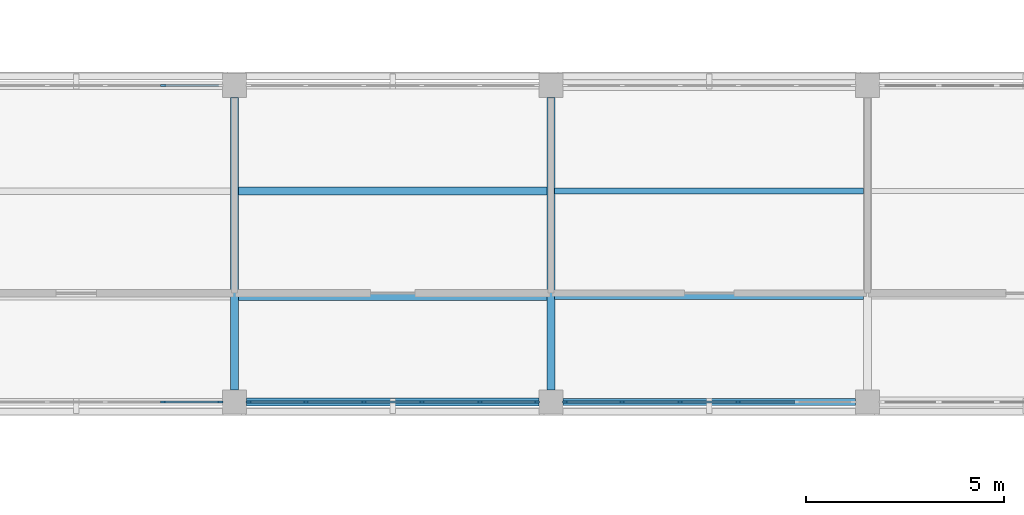
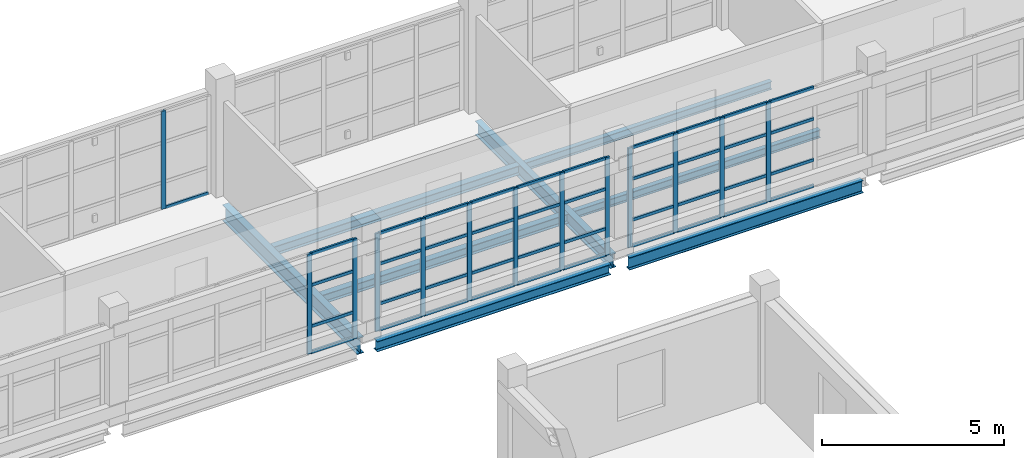
# One storey, part 19 of 126: 54 members, 8 beams, 4 elements without a shape of their own.
"""IFC4 building model written with IfcOpenShell, lengths in metres."""

from ifc_helpers import new_model, si_unit, derived_unit, direction, frame, origin, origin_2d, place, context, subcontext, project, spatial, rectangle, i_section, extrude, material, layer, layer_set, material_profile, profile_set, type_object, element, aggregate, save


model = new_model("IFC4")

# Units and contexts
model_context = context("Model", 3, precision=1e-05, world=origin(), true_north=direction((0.0, 1.0)))
body_context = subcontext(model_context, "Body", "Model", "MODEL_VIEW")
ifc_project = project(units=[si_unit("LENGTHUNIT", "METRE"), si_unit("AREAUNIT", "SQUARE_METRE"), si_unit("VOLUMEUNIT", "CUBIC_METRE"), si_unit("PLANEANGLEUNIT", "RADIAN"), si_unit("MASSUNIT", "GRAM", prefix="KILO"), derived_unit("THERMALTRANSMITTANCEUNIT", [(si_unit("MASSUNIT", "GRAM", prefix="KILO"), 1), (si_unit("TIMEUNIT", "SECOND"), -3), (si_unit("THERMODYNAMICTEMPERATUREUNIT", "KELVIN"), -1)])], contexts=[model_context])

# Site, building, storey
site_placement = place(None, origin())
site = spatial("IfcSite", under=ifc_project, at=site_placement, CompositionType="ELEMENT")
building_placement = place(site_placement, origin())
building = spatial("IfcBuilding", under=site, at=building_placement, Name="Veyamyaing Civic Hall", CompositionType="ELEMENT")
storey_placement = place(building_placement, frame((0.0, 0.0, 9.89990234375)))
storey = spatial("IfcBuildingStorey", under=building, at=storey_placement, Name="L02", CompositionType="ELEMENT", Elevation=9.89990234375)

# Beams
ifc_material_1 = material(Name="Steel ASTM A992", Category="steel")
ifc_material_profile_1 = material_profile(ifc_material_1, i_section(OverallWidth=0.2041015625, OverallDepth=0.35009765625, WebThickness=0.0078125, FlangeThickness=0.01513671875, FilletRadius=0.010009765625, at=origin_2d()), Name="W360X72")
ifc_profile_set_1 = profile_set([ifc_material_profile_1], Name="Steel ASTM A992")
beam_type_1 = type_object("IfcBeamType", Name="B-11", PredefinedType="SPANDREL", material=ifc_profile_set_1)
beam_1_placement = place(storey_placement, frame((32.300048828125, 48.0, -0.4599609375), z_axis=(1.0, 0.0, 0.0), x_axis=(0.0, 1.0, 0.0)))
element("IfcBeam", 1, at=beam_1_placement, inside=storey, type_object=beam_type_1, Name="Girder B-11 L02 Grid G 5-6", PredefinedType="SPANDREL", context=body_context, shape_type="SweptSolid", body=[
    extrude(i_section(OverallWidth=0.2041015625, OverallDepth=0.35009765625, WebThickness=0.0078125, FlangeThickness=0.01513671875, FilletRadius=0.010009765625, at=origin_2d()), origin(), (0.0, 0.0, 1.0), 7.39990234375),
])
ifc_material_profile_2 = material_profile(ifc_material_1, i_section(OverallWidth=0.2109375, OverallDepth=0.5390625, WebThickness=0.01171875, FlangeThickness=0.018798828125, FilletRadius=0.011962890625, at=origin_2d()), Name="W530X109")
ifc_profile_set_2 = profile_set([ifc_material_profile_2], Name="Steel ASTM A992")
beam_type_2 = type_object("IfcBeamType", Name="B-17", PredefinedType="BEAM", material=ifc_profile_set_2)
beam_2_placement = place(storey_placement, frame((32.0, 48.300048828125, -0.554443359375), z_axis=(0.0, 1.0, 0.0), x_axis=(-1.0, 0.0, 0.0)))
element("IfcBeam", 2, at=beam_2_placement, inside=storey, type_object=beam_type_2, Name="Girder B-17 L02 Grid 5 G-H", PredefinedType="BEAM", context=body_context, shape_type="SweptSolid", body=[
    extrude(i_section(OverallWidth=0.2109375, OverallDepth=0.5390625, WebThickness=0.01171875, FlangeThickness=0.018798828125, FilletRadius=0.011962890625, at=origin_2d()), origin(), (0.0, 0.0, 1.0), 7.39990234375),
])
ifc_material_profile_3 = material_profile(ifc_material_1, i_section(OverallWidth=0.194091796875, OverallDepth=0.468994140625, WebThickness=0.0126953125, FlangeThickness=0.0205078125, FilletRadius=0.010009765625, at=origin_2d()), Name="W460X106")
ifc_profile_set_3 = profile_set([ifc_material_profile_3], Name="Steel ASTM A992")
beam_type_3 = type_object("IfcBeamType", Name="B-18", PredefinedType="BEAM", material=ifc_profile_set_3)
beam_3_placement = place(storey_placement, frame((40.0, 48.300048828125, -0.519287109375), z_axis=(0.0, 1.0, 0.0), x_axis=(-1.0, 0.0, 0.0)))
element("IfcBeam", 3, at=beam_3_placement, inside=storey, type_object=beam_type_3, Name="Girder B-18 L02 Grid 6 G-H", PredefinedType="BEAM", context=body_context, shape_type="SweptSolid", body=[
    extrude(i_section(OverallWidth=0.194091796875, OverallDepth=0.468994140625, WebThickness=0.0126953125, FlangeThickness=0.0205078125, FilletRadius=0.010009765625, at=origin_2d()), origin(), (0.0, 0.0, 1.0), 7.39990234375),
])
ifc_material_profile_4 = material_profile(ifc_material_1, i_section(OverallWidth=0.180908203125, OverallDepth=0.4169921875, WebThickness=0.010986328125, FlangeThickness=0.018310546875, FilletRadius=0.010009765625, at=origin_2d()), Name="W410X85")
ifc_profile_set_4 = profile_set([ifc_material_profile_4], Name="Steel ASTM A992")
beam_type_4 = type_object("IfcBeamType", Name="B-19", PredefinedType="SPANDREL", material=ifc_profile_set_4)
beam_4_placement = place(storey_placement, frame((40.300048828125, 48.0, -0.493408203125), z_axis=(1.0, 0.0, 0.0), x_axis=(0.0, 1.0, 0.0)))
element("IfcBeam", 4, at=beam_4_placement, inside=storey, type_object=beam_type_4, Name="Girder B-19 L02 Grid G 6-7", PredefinedType="SPANDREL", context=body_context, shape_type="SweptSolid", body=[
    extrude(i_section(OverallWidth=0.180908203125, OverallDepth=0.4169921875, WebThickness=0.010986328125, FlangeThickness=0.018310546875, FilletRadius=0.010009765625, at=origin_2d()), origin(), (0.0, 0.0, 1.0), 7.39990234375),
])

# Curtain wall, members
ifc_material_2 = material(Name="Anodised aluminium 6063-T6", Category="aluminium")
ifc_layer = layer(ifc_material_2, 0.139892578125, Name="Anodised aluminium 6063-T6")
ifc_layer_set = layer_set([ifc_layer], Name="Anodised aluminium 6063-T6")
curtain_wall_type = type_object("IfcCurtainWallType", Name="CW-04", PredefinedType="NOTDEFINED", material=ifc_layer_set)
curtain_wall_1_placement = place(storey_placement, origin())
curtain_wall_1 = element("IfcCurtainWall", 5, at=curtain_wall_1_placement, inside=storey, type_object=curtain_wall_type, Name="Unitized curtain wall CW-04 L02 S 4.7", PredefinedType="NOTDEFINED")
ifc_material_profile_5 = material_profile(ifc_material_2, rectangle(XDim=0.06005859375, YDim=0.139892578125, at=origin_2d()), Name="ALU-MUL-60X140")
ifc_profile_set_5 = profile_set([ifc_material_profile_5], Name="Anodised aluminium 6063-T6")
member_type_1 = type_object("IfcMemberType", Name="CWM-03", PredefinedType="MULLION", material=ifc_profile_set_5)
member_1_placement = place(storey_placement, frame((30.201904296875, 48.0, 0.0), z_axis=(0.0, 0.0, 1.0), x_axis=(0.0, 1.0, 0.0)))
member_1 = element("IfcMember", 6, at=member_1_placement, type_object=member_type_1, Name="CW-04 mullion 5", PredefinedType="MULLION", context=body_context, shape_type="SweptSolid", body=[
    extrude(rectangle(XDim=0.06005859375, YDim=0.139892578125, at=origin_2d()), origin(), (0.0, 0.0, 1.0), 3.34716796875),
])
member_2_placement = place(storey_placement, frame((31.639892578125, 48.0, 0.0), z_axis=(0.0, 0.0, 1.0), x_axis=(0.0, 1.0, 0.0)))
member_2 = element("IfcMember", 7, at=member_2_placement, type_object=member_type_1, Name="CW-04 mullion 6", PredefinedType="MULLION", context=body_context, shape_type="SweptSolid", body=[
    extrude(rectangle(XDim=0.06005859375, YDim=0.139892578125, at=origin_2d()), origin(), (0.0, 0.0, 1.0), 3.34716796875),
])

# Curtain wall, member
curtain_wall_2_placement = place(storey_placement, origin())
curtain_wall_2 = element("IfcCurtainWall", 8, at=curtain_wall_2_placement, inside=storey, type_object=curtain_wall_type, Name="Unitized curtain wall CW-04 L02 N 4.7", PredefinedType="NOTDEFINED")
member_3_placement = place(storey_placement, frame((30.201904296875, 56.0, 0.0), z_axis=(0.0, 0.0, 1.0), x_axis=(0.0, 1.0, 0.0)))
member_3 = element("IfcMember", 9, at=member_3_placement, type_object=member_type_1, Name="CW-04 mullion 5", PredefinedType="MULLION", context=body_context, shape_type="SweptSolid", body=[
    extrude(rectangle(XDim=0.06005859375, YDim=0.139892578125, at=origin_2d()), origin(), (0.0, 0.0, 1.0), 3.280029296875),
])

# Curtain wall, members
curtain_wall_3_placement = place(storey_placement, origin())
curtain_wall_3 = element("IfcCurtainWall", 10, at=curtain_wall_3_placement, inside=storey, type_object=curtain_wall_type, Name="Unitized curtain wall CW-04 L02 S 5.7", PredefinedType="NOTDEFINED")
member_4_placement = place(storey_placement, frame((32.360107421875, 48.0, 0.0), z_axis=(0.0, 0.0, 1.0), x_axis=(0.0, 1.0, 0.0)))
member_4 = element("IfcMember", 11, at=member_4_placement, type_object=member_type_1, Name="CW-04 mullion 1", PredefinedType="MULLION", context=body_context, shape_type="SweptSolid", body=[
    extrude(rectangle(XDim=0.06005859375, YDim=0.139892578125, at=origin_2d()), origin(), (0.0, 0.0, 1.0), 3.280029296875),
])
member_5_placement = place(storey_placement, frame((33.798095703125, 48.0, 0.0), z_axis=(0.0, 0.0, 1.0), x_axis=(0.0, 1.0, 0.0)))
member_5 = element("IfcMember", 12, at=member_5_placement, type_object=member_type_1, Name="CW-04 mullion 2", PredefinedType="MULLION", context=body_context, shape_type="SweptSolid", body=[
    extrude(rectangle(XDim=0.06005859375, YDim=0.139892578125, at=origin_2d()), origin(), (0.0, 0.0, 1.0), 3.280029296875),
])
member_6_placement = place(storey_placement, frame((35.26611328125, 48.0, 0.0), z_axis=(0.0, 0.0, 1.0), x_axis=(0.0, 1.0, 0.0)))
member_6 = element("IfcMember", 13, at=member_6_placement, type_object=member_type_1, Name="CW-04 mullion 3", PredefinedType="MULLION", context=body_context, shape_type="SweptSolid", body=[
    extrude(rectangle(XDim=0.06005859375, YDim=0.139892578125, at=origin_2d()), origin(), (0.0, 0.0, 1.0), 3.280029296875),
])
member_7_placement = place(storey_placement, frame((36.73388671875, 48.0, 0.0), z_axis=(0.0, 0.0, 1.0), x_axis=(0.0, 1.0, 0.0)))
member_7 = element("IfcMember", 14, at=member_7_placement, type_object=member_type_1, Name="CW-04 mullion 4", PredefinedType="MULLION", context=body_context, shape_type="SweptSolid", body=[
    extrude(rectangle(XDim=0.06005859375, YDim=0.139892578125, at=origin_2d()), origin(), (0.0, 0.0, 1.0), 3.280029296875),
])
member_8_placement = place(storey_placement, frame((38.201904296875, 48.0, 0.0), z_axis=(0.0, 0.0, 1.0), x_axis=(0.0, 1.0, 0.0)))
member_8 = element("IfcMember", 15, at=member_8_placement, type_object=member_type_1, Name="CW-04 mullion 5", PredefinedType="MULLION", context=body_context, shape_type="SweptSolid", body=[
    extrude(rectangle(XDim=0.06005859375, YDim=0.139892578125, at=origin_2d()), origin(), (0.0, 0.0, 1.0), 3.280029296875),
])
member_9_placement = place(storey_placement, frame((39.639892578125, 48.0, 0.0), z_axis=(0.0, 0.0, 1.0), x_axis=(0.0, 1.0, 0.0)))
member_9 = element("IfcMember", 16, at=member_9_placement, type_object=member_type_1, Name="CW-04 mullion 6", PredefinedType="MULLION", context=body_context, shape_type="SweptSolid", body=[
    extrude(rectangle(XDim=0.06005859375, YDim=0.139892578125, at=origin_2d()), origin(), (0.0, 0.0, 1.0), 3.280029296875),
])

curtain_wall_4_placement = place(storey_placement, origin())
curtain_wall_4 = element("IfcCurtainWall", 17, at=curtain_wall_4_placement, inside=storey, type_object=curtain_wall_type, Name="Unitized curtain wall CW-04 L02 S 6.7", PredefinedType="NOTDEFINED")
member_10_placement = place(storey_placement, frame((40.360107421875, 48.0, 0.0), z_axis=(0.0, 0.0, 1.0), x_axis=(0.0, 1.0, 0.0)))
member_10 = element("IfcMember", 18, at=member_10_placement, type_object=member_type_1, Name="CW-04 mullion 1", PredefinedType="MULLION", context=body_context, shape_type="SweptSolid", body=[
    extrude(rectangle(XDim=0.06005859375, YDim=0.139892578125, at=origin_2d()), origin(), (0.0, 0.0, 1.0), 3.343994140625),
])
member_11_placement = place(storey_placement, frame((41.798095703125, 48.0, 0.0), z_axis=(0.0, 0.0, 1.0), x_axis=(0.0, 1.0, 0.0)))
member_11 = element("IfcMember", 19, at=member_11_placement, type_object=member_type_1, Name="CW-04 mullion 2", PredefinedType="MULLION", context=body_context, shape_type="SweptSolid", body=[
    extrude(rectangle(XDim=0.06005859375, YDim=0.139892578125, at=origin_2d()), origin(), (0.0, 0.0, 1.0), 3.343994140625),
])
member_12_placement = place(storey_placement, frame((43.26611328125, 48.0, 0.0), z_axis=(0.0, 0.0, 1.0), x_axis=(0.0, 1.0, 0.0)))
member_12 = element("IfcMember", 20, at=member_12_placement, type_object=member_type_1, Name="CW-04 mullion 3", PredefinedType="MULLION", context=body_context, shape_type="SweptSolid", body=[
    extrude(rectangle(XDim=0.06005859375, YDim=0.139892578125, at=origin_2d()), origin(), (0.0, 0.0, 1.0), 3.343994140625),
])
member_13_placement = place(storey_placement, frame((44.73388671875, 48.0, 0.0), z_axis=(0.0, 0.0, 1.0), x_axis=(0.0, 1.0, 0.0)))
member_13 = element("IfcMember", 21, at=member_13_placement, type_object=member_type_1, Name="CW-04 mullion 4", PredefinedType="MULLION", context=body_context, shape_type="SweptSolid", body=[
    extrude(rectangle(XDim=0.06005859375, YDim=0.139892578125, at=origin_2d()), origin(), (0.0, 0.0, 1.0), 3.343994140625),
])

# Member
ifc_material_profile_6 = material_profile(ifc_material_2, rectangle(XDim=0.06005859375, YDim=0.10009765625, at=origin_2d()), Name="ALU-TRN-60X100")
ifc_profile_set_6 = profile_set([ifc_material_profile_6], Name="Anodised aluminium 6063-T6")
member_type_2 = type_object("IfcMemberType", Name="CWT-03", PredefinedType="USERDEFINED", material=ifc_profile_set_6)
member_14_placement = place(storey_placement, frame((30.23193359375, 48.0, 0.030029296875), z_axis=(1.0, 0.0, 0.0), x_axis=(0.0, 1.0, 0.0)))
member_14 = element("IfcMember", 22, at=member_14_placement, type_object=member_type_2, Name="CW-04 transom 5.1", ObjectType="TRANSOM", PredefinedType="USERDEFINED", context=body_context, shape_type="SweptSolid", body=[
    extrude(rectangle(XDim=0.06005859375, YDim=0.10009765625, at=origin_2d()), origin(), (0.0, 0.0, 1.0), 1.378173828125),
])

member_15_placement = place(storey_placement, frame((30.23193359375, 48.0, 0.900146484375), z_axis=(1.0, 0.0, 0.0), x_axis=(0.0, 1.0, 0.0)))
member_15 = element("IfcMember", 23, at=member_15_placement, type_object=member_type_2, Name="CW-04 transom 5.2", ObjectType="TRANSOM", PredefinedType="USERDEFINED", context=body_context, shape_type="SweptSolid", body=[
    extrude(rectangle(XDim=0.06005859375, YDim=0.10009765625, at=origin_2d()), origin(), (0.0, 0.0, 1.0), 1.378173828125),
])

member_16_placement = place(storey_placement, frame((30.23193359375, 48.0, 2.276123046875), z_axis=(1.0, 0.0, 0.0), x_axis=(0.0, 1.0, 0.0)))
member_16 = element("IfcMember", 24, at=member_16_placement, type_object=member_type_2, Name="CW-04 transom 5.3", ObjectType="TRANSOM", PredefinedType="USERDEFINED", context=body_context, shape_type="SweptSolid", body=[
    extrude(rectangle(XDim=0.06005859375, YDim=0.10009765625, at=origin_2d()), origin(), (0.0, 0.0, 1.0), 1.378173828125),
])

member_17_placement = place(storey_placement, frame((30.23193359375, 48.0, 3.317138671875), z_axis=(1.0, 0.0, 0.0), x_axis=(0.0, 1.0, 0.0)))
member_17 = element("IfcMember", 25, at=member_17_placement, type_object=member_type_2, Name="CW-04 transom 5.4", ObjectType="TRANSOM", PredefinedType="USERDEFINED", context=body_context, shape_type="SweptSolid", body=[
    extrude(rectangle(XDim=0.06005859375, YDim=0.10009765625, at=origin_2d()), origin(), (0.0, 0.0, 1.0), 1.378173828125),
])

aggregate(curtain_wall_1, [member_1, member_2, member_14, member_15, member_16, member_17])

member_18_placement = place(storey_placement, frame((30.23193359375, 56.0, 0.030029296875), z_axis=(1.0, 0.0, 0.0), x_axis=(0.0, 1.0, 0.0)))
member_18 = element("IfcMember", 26, at=member_18_placement, type_object=member_type_2, Name="CW-04 transom 5.1", ObjectType="TRANSOM", PredefinedType="USERDEFINED", context=body_context, shape_type="SweptSolid", body=[
    extrude(rectangle(XDim=0.06005859375, YDim=0.10009765625, at=origin_2d()), origin(), (0.0, 0.0, 1.0), 1.378173828125),
])

aggregate(curtain_wall_2, [member_3, member_18])

member_19_placement = place(storey_placement, frame((32.389892578125, 48.0, 0.030029296875), z_axis=(1.0, 0.0, 0.0), x_axis=(0.0, 1.0, 0.0)))
member_19 = element("IfcMember", 27, at=member_19_placement, type_object=member_type_2, Name="CW-04 transom 1.1", ObjectType="TRANSOM", PredefinedType="USERDEFINED", context=body_context, shape_type="SweptSolid", body=[
    extrude(rectangle(XDim=0.06005859375, YDim=0.10009765625, at=origin_2d()), origin(), (0.0, 0.0, 1.0), 1.378173828125),
])

member_20_placement = place(storey_placement, frame((32.389892578125, 48.0, 0.900146484375), z_axis=(1.0, 0.0, 0.0), x_axis=(0.0, 1.0, 0.0)))
member_20 = element("IfcMember", 28, at=member_20_placement, type_object=member_type_2, Name="CW-04 transom 1.2", ObjectType="TRANSOM", PredefinedType="USERDEFINED", context=body_context, shape_type="SweptSolid", body=[
    extrude(rectangle(XDim=0.06005859375, YDim=0.10009765625, at=origin_2d()), origin(), (0.0, 0.0, 1.0), 1.378173828125),
])

member_21_placement = place(storey_placement, frame((32.389892578125, 48.0, 2.23046875), z_axis=(1.0, 0.0, 0.0), x_axis=(0.0, 1.0, 0.0)))
member_21 = element("IfcMember", 29, at=member_21_placement, type_object=member_type_2, Name="CW-04 transom 1.3", ObjectType="TRANSOM", PredefinedType="USERDEFINED", context=body_context, shape_type="SweptSolid", body=[
    extrude(rectangle(XDim=0.06005859375, YDim=0.10009765625, at=origin_2d()), origin(), (0.0, 0.0, 1.0), 1.378173828125),
])

member_22_placement = place(storey_placement, frame((32.389892578125, 48.0, 3.25), z_axis=(1.0, 0.0, 0.0), x_axis=(0.0, 1.0, 0.0)))
member_22 = element("IfcMember", 30, at=member_22_placement, type_object=member_type_2, Name="CW-04 transom 1.4", ObjectType="TRANSOM", PredefinedType="USERDEFINED", context=body_context, shape_type="SweptSolid", body=[
    extrude(rectangle(XDim=0.06005859375, YDim=0.10009765625, at=origin_2d()), origin(), (0.0, 0.0, 1.0), 1.378173828125),
])

member_23_placement = place(storey_placement, frame((33.827880859375, 48.0, 0.030029296875), z_axis=(1.0, 0.0, 0.0), x_axis=(0.0, 1.0, 0.0)))
member_23 = element("IfcMember", 31, at=member_23_placement, type_object=member_type_2, Name="CW-04 transom 2.1", ObjectType="TRANSOM", PredefinedType="USERDEFINED", context=body_context, shape_type="SweptSolid", body=[
    extrude(rectangle(XDim=0.06005859375, YDim=0.10009765625, at=origin_2d()), origin(), (0.0, 0.0, 1.0), 1.408203125),
])

member_24_placement = place(storey_placement, frame((33.827880859375, 48.0, 0.900146484375), z_axis=(1.0, 0.0, 0.0), x_axis=(0.0, 1.0, 0.0)))
member_24 = element("IfcMember", 32, at=member_24_placement, type_object=member_type_2, Name="CW-04 transom 2.2", ObjectType="TRANSOM", PredefinedType="USERDEFINED", context=body_context, shape_type="SweptSolid", body=[
    extrude(rectangle(XDim=0.06005859375, YDim=0.10009765625, at=origin_2d()), origin(), (0.0, 0.0, 1.0), 1.408203125),
])

member_25_placement = place(storey_placement, frame((33.827880859375, 48.0, 2.23046875), z_axis=(1.0, 0.0, 0.0), x_axis=(0.0, 1.0, 0.0)))
member_25 = element("IfcMember", 33, at=member_25_placement, type_object=member_type_2, Name="CW-04 transom 2.3", ObjectType="TRANSOM", PredefinedType="USERDEFINED", context=body_context, shape_type="SweptSolid", body=[
    extrude(rectangle(XDim=0.06005859375, YDim=0.10009765625, at=origin_2d()), origin(), (0.0, 0.0, 1.0), 1.408203125),
])

member_26_placement = place(storey_placement, frame((33.827880859375, 48.0, 3.25), z_axis=(1.0, 0.0, 0.0), x_axis=(0.0, 1.0, 0.0)))
member_26 = element("IfcMember", 34, at=member_26_placement, type_object=member_type_2, Name="CW-04 transom 2.4", ObjectType="TRANSOM", PredefinedType="USERDEFINED", context=body_context, shape_type="SweptSolid", body=[
    extrude(rectangle(XDim=0.06005859375, YDim=0.10009765625, at=origin_2d()), origin(), (0.0, 0.0, 1.0), 1.408203125),
])

member_27_placement = place(storey_placement, frame((35.2958984375, 48.0, 0.030029296875), z_axis=(1.0, 0.0, 0.0), x_axis=(0.0, 1.0, 0.0)))
member_27 = element("IfcMember", 35, at=member_27_placement, type_object=member_type_2, Name="CW-04 transom 3.1", ObjectType="TRANSOM", PredefinedType="USERDEFINED", context=body_context, shape_type="SweptSolid", body=[
    extrude(rectangle(XDim=0.06005859375, YDim=0.10009765625, at=origin_2d()), origin(), (0.0, 0.0, 1.0), 1.408203125),
])

member_28_placement = place(storey_placement, frame((35.2958984375, 48.0, 0.900146484375), z_axis=(1.0, 0.0, 0.0), x_axis=(0.0, 1.0, 0.0)))
member_28 = element("IfcMember", 36, at=member_28_placement, type_object=member_type_2, Name="CW-04 transom 3.2", ObjectType="TRANSOM", PredefinedType="USERDEFINED", context=body_context, shape_type="SweptSolid", body=[
    extrude(rectangle(XDim=0.06005859375, YDim=0.10009765625, at=origin_2d()), origin(), (0.0, 0.0, 1.0), 1.408203125),
])

member_29_placement = place(storey_placement, frame((35.2958984375, 48.0, 2.23046875), z_axis=(1.0, 0.0, 0.0), x_axis=(0.0, 1.0, 0.0)))
member_29 = element("IfcMember", 37, at=member_29_placement, type_object=member_type_2, Name="CW-04 transom 3.3", ObjectType="TRANSOM", PredefinedType="USERDEFINED", context=body_context, shape_type="SweptSolid", body=[
    extrude(rectangle(XDim=0.06005859375, YDim=0.10009765625, at=origin_2d()), origin(), (0.0, 0.0, 1.0), 1.408203125),
])

member_30_placement = place(storey_placement, frame((35.2958984375, 48.0, 3.25), z_axis=(1.0, 0.0, 0.0), x_axis=(0.0, 1.0, 0.0)))
member_30 = element("IfcMember", 38, at=member_30_placement, type_object=member_type_2, Name="CW-04 transom 3.4", ObjectType="TRANSOM", PredefinedType="USERDEFINED", context=body_context, shape_type="SweptSolid", body=[
    extrude(rectangle(XDim=0.06005859375, YDim=0.10009765625, at=origin_2d()), origin(), (0.0, 0.0, 1.0), 1.408203125),
])

member_31_placement = place(storey_placement, frame((36.763916015625, 48.0, 0.030029296875), z_axis=(1.0, 0.0, 0.0), x_axis=(0.0, 1.0, 0.0)))
member_31 = element("IfcMember", 39, at=member_31_placement, type_object=member_type_2, Name="CW-04 transom 4.1", ObjectType="TRANSOM", PredefinedType="USERDEFINED", context=body_context, shape_type="SweptSolid", body=[
    extrude(rectangle(XDim=0.06005859375, YDim=0.10009765625, at=origin_2d()), origin(), (0.0, 0.0, 1.0), 1.408203125),
])

member_32_placement = place(storey_placement, frame((36.763916015625, 48.0, 0.900146484375), z_axis=(1.0, 0.0, 0.0), x_axis=(0.0, 1.0, 0.0)))
member_32 = element("IfcMember", 40, at=member_32_placement, type_object=member_type_2, Name="CW-04 transom 4.2", ObjectType="TRANSOM", PredefinedType="USERDEFINED", context=body_context, shape_type="SweptSolid", body=[
    extrude(rectangle(XDim=0.06005859375, YDim=0.10009765625, at=origin_2d()), origin(), (0.0, 0.0, 1.0), 1.408203125),
])

member_33_placement = place(storey_placement, frame((36.763916015625, 48.0, 2.23046875), z_axis=(1.0, 0.0, 0.0), x_axis=(0.0, 1.0, 0.0)))
member_33 = element("IfcMember", 41, at=member_33_placement, type_object=member_type_2, Name="CW-04 transom 4.3", ObjectType="TRANSOM", PredefinedType="USERDEFINED", context=body_context, shape_type="SweptSolid", body=[
    extrude(rectangle(XDim=0.06005859375, YDim=0.10009765625, at=origin_2d()), origin(), (0.0, 0.0, 1.0), 1.408203125),
])

member_34_placement = place(storey_placement, frame((36.763916015625, 48.0, 3.25), z_axis=(1.0, 0.0, 0.0), x_axis=(0.0, 1.0, 0.0)))
member_34 = element("IfcMember", 42, at=member_34_placement, type_object=member_type_2, Name="CW-04 transom 4.4", ObjectType="TRANSOM", PredefinedType="USERDEFINED", context=body_context, shape_type="SweptSolid", body=[
    extrude(rectangle(XDim=0.06005859375, YDim=0.10009765625, at=origin_2d()), origin(), (0.0, 0.0, 1.0), 1.408203125),
])

member_35_placement = place(storey_placement, frame((38.23193359375, 48.0, 0.030029296875), z_axis=(1.0, 0.0, 0.0), x_axis=(0.0, 1.0, 0.0)))
member_35 = element("IfcMember", 43, at=member_35_placement, type_object=member_type_2, Name="CW-04 transom 5.1", ObjectType="TRANSOM", PredefinedType="USERDEFINED", context=body_context, shape_type="SweptSolid", body=[
    extrude(rectangle(XDim=0.06005859375, YDim=0.10009765625, at=origin_2d()), origin(), (0.0, 0.0, 1.0), 1.378173828125),
])

member_36_placement = place(storey_placement, frame((38.23193359375, 48.0, 0.900146484375), z_axis=(1.0, 0.0, 0.0), x_axis=(0.0, 1.0, 0.0)))
member_36 = element("IfcMember", 44, at=member_36_placement, type_object=member_type_2, Name="CW-04 transom 5.2", ObjectType="TRANSOM", PredefinedType="USERDEFINED", context=body_context, shape_type="SweptSolid", body=[
    extrude(rectangle(XDim=0.06005859375, YDim=0.10009765625, at=origin_2d()), origin(), (0.0, 0.0, 1.0), 1.378173828125),
])

member_37_placement = place(storey_placement, frame((38.23193359375, 48.0, 2.23046875), z_axis=(1.0, 0.0, 0.0), x_axis=(0.0, 1.0, 0.0)))
member_37 = element("IfcMember", 45, at=member_37_placement, type_object=member_type_2, Name="CW-04 transom 5.3", ObjectType="TRANSOM", PredefinedType="USERDEFINED", context=body_context, shape_type="SweptSolid", body=[
    extrude(rectangle(XDim=0.06005859375, YDim=0.10009765625, at=origin_2d()), origin(), (0.0, 0.0, 1.0), 1.378173828125),
])

member_38_placement = place(storey_placement, frame((38.23193359375, 48.0, 3.25), z_axis=(1.0, 0.0, 0.0), x_axis=(0.0, 1.0, 0.0)))
member_38 = element("IfcMember", 46, at=member_38_placement, type_object=member_type_2, Name="CW-04 transom 5.4", ObjectType="TRANSOM", PredefinedType="USERDEFINED", context=body_context, shape_type="SweptSolid", body=[
    extrude(rectangle(XDim=0.06005859375, YDim=0.10009765625, at=origin_2d()), origin(), (0.0, 0.0, 1.0), 1.378173828125),
])

aggregate(curtain_wall_3, [member_4, member_5, member_6, member_7, member_8, member_9, member_19, member_20, member_21, member_22, member_23, member_24, member_25, member_26, member_27, member_28, member_29, member_30, member_31, member_32, member_33, member_34, member_35, member_36, member_37, member_38])

member_39_placement = place(storey_placement, frame((40.389892578125, 48.0, 0.030029296875), z_axis=(1.0, 0.0, 0.0), x_axis=(0.0, 1.0, 0.0)))
member_39 = element("IfcMember", 47, at=member_39_placement, type_object=member_type_2, Name="CW-04 transom 1.1", ObjectType="TRANSOM", PredefinedType="USERDEFINED", context=body_context, shape_type="SweptSolid", body=[
    extrude(rectangle(XDim=0.06005859375, YDim=0.10009765625, at=origin_2d()), origin(), (0.0, 0.0, 1.0), 1.378173828125),
])

member_40_placement = place(storey_placement, frame((40.389892578125, 48.0, 0.900146484375), z_axis=(1.0, 0.0, 0.0), x_axis=(0.0, 1.0, 0.0)))
member_40 = element("IfcMember", 48, at=member_40_placement, type_object=member_type_2, Name="CW-04 transom 1.2", ObjectType="TRANSOM", PredefinedType="USERDEFINED", context=body_context, shape_type="SweptSolid", body=[
    extrude(rectangle(XDim=0.06005859375, YDim=0.10009765625, at=origin_2d()), origin(), (0.0, 0.0, 1.0), 1.378173828125),
])

member_41_placement = place(storey_placement, frame((40.389892578125, 48.0, 2.27392578125), z_axis=(1.0, 0.0, 0.0), x_axis=(0.0, 1.0, 0.0)))
member_41 = element("IfcMember", 49, at=member_41_placement, type_object=member_type_2, Name="CW-04 transom 1.3", ObjectType="TRANSOM", PredefinedType="USERDEFINED", context=body_context, shape_type="SweptSolid", body=[
    extrude(rectangle(XDim=0.06005859375, YDim=0.10009765625, at=origin_2d()), origin(), (0.0, 0.0, 1.0), 1.378173828125),
])

member_42_placement = place(storey_placement, frame((40.389892578125, 48.0, 3.314208984375), z_axis=(1.0, 0.0, 0.0), x_axis=(0.0, 1.0, 0.0)))
member_42 = element("IfcMember", 50, at=member_42_placement, type_object=member_type_2, Name="CW-04 transom 1.4", ObjectType="TRANSOM", PredefinedType="USERDEFINED", context=body_context, shape_type="SweptSolid", body=[
    extrude(rectangle(XDim=0.06005859375, YDim=0.10009765625, at=origin_2d()), origin(), (0.0, 0.0, 1.0), 1.378173828125),
])

member_43_placement = place(storey_placement, frame((41.827880859375, 48.0, 0.030029296875), z_axis=(1.0, 0.0, 0.0), x_axis=(0.0, 1.0, 0.0)))
member_43 = element("IfcMember", 51, at=member_43_placement, type_object=member_type_2, Name="CW-04 transom 2.1", ObjectType="TRANSOM", PredefinedType="USERDEFINED", context=body_context, shape_type="SweptSolid", body=[
    extrude(rectangle(XDim=0.06005859375, YDim=0.10009765625, at=origin_2d()), origin(), (0.0, 0.0, 1.0), 1.408203125),
])

member_44_placement = place(storey_placement, frame((41.827880859375, 48.0, 0.900146484375), z_axis=(1.0, 0.0, 0.0), x_axis=(0.0, 1.0, 0.0)))
member_44 = element("IfcMember", 52, at=member_44_placement, type_object=member_type_2, Name="CW-04 transom 2.2", ObjectType="TRANSOM", PredefinedType="USERDEFINED", context=body_context, shape_type="SweptSolid", body=[
    extrude(rectangle(XDim=0.06005859375, YDim=0.10009765625, at=origin_2d()), origin(), (0.0, 0.0, 1.0), 1.408203125),
])

member_45_placement = place(storey_placement, frame((41.827880859375, 48.0, 2.27392578125), z_axis=(1.0, 0.0, 0.0), x_axis=(0.0, 1.0, 0.0)))
member_45 = element("IfcMember", 53, at=member_45_placement, type_object=member_type_2, Name="CW-04 transom 2.3", ObjectType="TRANSOM", PredefinedType="USERDEFINED", context=body_context, shape_type="SweptSolid", body=[
    extrude(rectangle(XDim=0.06005859375, YDim=0.10009765625, at=origin_2d()), origin(), (0.0, 0.0, 1.0), 1.408203125),
])

member_46_placement = place(storey_placement, frame((41.827880859375, 48.0, 3.314208984375), z_axis=(1.0, 0.0, 0.0), x_axis=(0.0, 1.0, 0.0)))
member_46 = element("IfcMember", 54, at=member_46_placement, type_object=member_type_2, Name="CW-04 transom 2.4", ObjectType="TRANSOM", PredefinedType="USERDEFINED", context=body_context, shape_type="SweptSolid", body=[
    extrude(rectangle(XDim=0.06005859375, YDim=0.10009765625, at=origin_2d()), origin(), (0.0, 0.0, 1.0), 1.408203125),
])

member_47_placement = place(storey_placement, frame((43.2958984375, 48.0, 0.030029296875), z_axis=(1.0, 0.0, 0.0), x_axis=(0.0, 1.0, 0.0)))
member_47 = element("IfcMember", 55, at=member_47_placement, type_object=member_type_2, Name="CW-04 transom 3.1", ObjectType="TRANSOM", PredefinedType="USERDEFINED", context=body_context, shape_type="SweptSolid", body=[
    extrude(rectangle(XDim=0.06005859375, YDim=0.10009765625, at=origin_2d()), origin(), (0.0, 0.0, 1.0), 1.408203125),
])

member_48_placement = place(storey_placement, frame((43.2958984375, 48.0, 0.900146484375), z_axis=(1.0, 0.0, 0.0), x_axis=(0.0, 1.0, 0.0)))
member_48 = element("IfcMember", 56, at=member_48_placement, type_object=member_type_2, Name="CW-04 transom 3.2", ObjectType="TRANSOM", PredefinedType="USERDEFINED", context=body_context, shape_type="SweptSolid", body=[
    extrude(rectangle(XDim=0.06005859375, YDim=0.10009765625, at=origin_2d()), origin(), (0.0, 0.0, 1.0), 1.408203125),
])

member_49_placement = place(storey_placement, frame((43.2958984375, 48.0, 2.27392578125), z_axis=(1.0, 0.0, 0.0), x_axis=(0.0, 1.0, 0.0)))
member_49 = element("IfcMember", 57, at=member_49_placement, type_object=member_type_2, Name="CW-04 transom 3.3", ObjectType="TRANSOM", PredefinedType="USERDEFINED", context=body_context, shape_type="SweptSolid", body=[
    extrude(rectangle(XDim=0.06005859375, YDim=0.10009765625, at=origin_2d()), origin(), (0.0, 0.0, 1.0), 1.408203125),
])

member_50_placement = place(storey_placement, frame((43.2958984375, 48.0, 3.314208984375), z_axis=(1.0, 0.0, 0.0), x_axis=(0.0, 1.0, 0.0)))
member_50 = element("IfcMember", 58, at=member_50_placement, type_object=member_type_2, Name="CW-04 transom 3.4", ObjectType="TRANSOM", PredefinedType="USERDEFINED", context=body_context, shape_type="SweptSolid", body=[
    extrude(rectangle(XDim=0.06005859375, YDim=0.10009765625, at=origin_2d()), origin(), (0.0, 0.0, 1.0), 1.408203125),
])

member_51_placement = place(storey_placement, frame((44.763916015625, 48.0, 0.030029296875), z_axis=(1.0, 0.0, 0.0), x_axis=(0.0, 1.0, 0.0)))
member_51 = element("IfcMember", 59, at=member_51_placement, type_object=member_type_2, Name="CW-04 transom 4.1", ObjectType="TRANSOM", PredefinedType="USERDEFINED", context=body_context, shape_type="SweptSolid", body=[
    extrude(rectangle(XDim=0.06005859375, YDim=0.10009765625, at=origin_2d()), origin(), (0.0, 0.0, 1.0), 1.408203125),
])

member_52_placement = place(storey_placement, frame((44.763916015625, 48.0, 0.900146484375), z_axis=(1.0, 0.0, 0.0), x_axis=(0.0, 1.0, 0.0)))
member_52 = element("IfcMember", 60, at=member_52_placement, type_object=member_type_2, Name="CW-04 transom 4.2", ObjectType="TRANSOM", PredefinedType="USERDEFINED", context=body_context, shape_type="SweptSolid", body=[
    extrude(rectangle(XDim=0.06005859375, YDim=0.10009765625, at=origin_2d()), origin(), (0.0, 0.0, 1.0), 1.408203125),
])

member_53_placement = place(storey_placement, frame((44.763916015625, 48.0, 2.27392578125), z_axis=(1.0, 0.0, 0.0), x_axis=(0.0, 1.0, 0.0)))
member_53 = element("IfcMember", 61, at=member_53_placement, type_object=member_type_2, Name="CW-04 transom 4.3", ObjectType="TRANSOM", PredefinedType="USERDEFINED", context=body_context, shape_type="SweptSolid", body=[
    extrude(rectangle(XDim=0.06005859375, YDim=0.10009765625, at=origin_2d()), origin(), (0.0, 0.0, 1.0), 1.408203125),
])

member_54_placement = place(storey_placement, frame((44.763916015625, 48.0, 3.314208984375), z_axis=(1.0, 0.0, 0.0), x_axis=(0.0, 1.0, 0.0)))
member_54 = element("IfcMember", 62, at=member_54_placement, type_object=member_type_2, Name="CW-04 transom 4.4", ObjectType="TRANSOM", PredefinedType="USERDEFINED", context=body_context, shape_type="SweptSolid", body=[
    extrude(rectangle(XDim=0.06005859375, YDim=0.10009765625, at=origin_2d()), origin(), (0.0, 0.0, 1.0), 1.408203125),
])

aggregate(curtain_wall_4, [member_10, member_11, member_12, member_13, member_39, member_40, member_41, member_42, member_43, member_44, member_45, member_46, member_47, member_48, member_49, member_50, member_51, member_52, member_53, member_54])

# Beams
ifc_material_profile_7 = material_profile(ifc_material_1, i_section(OverallWidth=0.2041015625, OverallDepth=0.305908203125, WebThickness=0.008544921875, FlangeThickness=0.0146484375, FilletRadius=0.010009765625, at=origin_2d()), Name="W310X67")
ifc_profile_set_7 = profile_set([ifc_material_profile_7], Name="Steel ASTM A992")
beam_type_5 = type_object("IfcBeamType", Name="J-06", PredefinedType="JOIST", material=ifc_profile_set_7)
for number, where, z_axis, x_axis, name in (
    (63, (32.103515625, 50.666748046875, -0.43798828125), (1.0, 0.0, 0.0), (0.0, 1.0, 0.0), "Composite floor joist J-06 L02 5.7.1"),
    (64, (32.103515625, 53.333251953125, -0.43798828125), (1.0, 0.0, 0.0), (0.0, 1.0, 0.0), "Composite floor joist J-06 L02 5.7.2"),
):
    element("IfcBeam", number, at=place(storey_placement, frame(where, z_axis=z_axis, x_axis=x_axis)), inside=storey, type_object=beam_type_5, Name=name, PredefinedType="JOIST", context=body_context, shape_type="SweptSolid", body=[
        extrude(i_section(OverallWidth=0.2041015625, OverallDepth=0.305908203125, WebThickness=0.008544921875, FlangeThickness=0.0146484375, FilletRadius=0.010009765625, at=origin_2d()), origin(), (0.0, 0.0, 1.0), 7.801513671875),
    ])
ifc_material_profile_8 = material_profile(ifc_material_1, i_section(OverallWidth=0.14794921875, OverallDepth=0.26611328125, WebThickness=0.007568359375, FlangeThickness=0.012939453125, FilletRadius=0.010009765625, at=origin_2d()), Name="W250X45")
ifc_profile_set_8 = profile_set([ifc_material_profile_8], Name="Steel ASTM A992")
beam_type_6 = type_object("IfcBeamType", Name="J-07", PredefinedType="JOIST", material=ifc_profile_set_8)
for number, where, z_axis, x_axis, name in (
    (65, (40.094970703125, 50.666748046875, -0.41796875), (1.0, 0.0, 0.0), (0.0, 1.0, 0.0), "Composite floor joist J-07 L02 6.7.1"),
    (66, (40.094970703125, 53.333251953125, -0.41796875), (1.0, 0.0, 0.0), (0.0, 1.0, 0.0), "Composite floor joist J-07 L02 6.7.2"),
):
    element("IfcBeam", number, at=place(storey_placement, frame(where, z_axis=z_axis, x_axis=x_axis)), inside=storey, type_object=beam_type_6, Name=name, PredefinedType="JOIST", context=body_context, shape_type="SweptSolid", body=[
        extrude(i_section(OverallWidth=0.14794921875, OverallDepth=0.26611328125, WebThickness=0.007568359375, FlangeThickness=0.012939453125, FilletRadius=0.010009765625, at=origin_2d()), origin(), (0.0, 0.0, 1.0), 7.802490234375),
    ])

save(model, "model.ifc")
